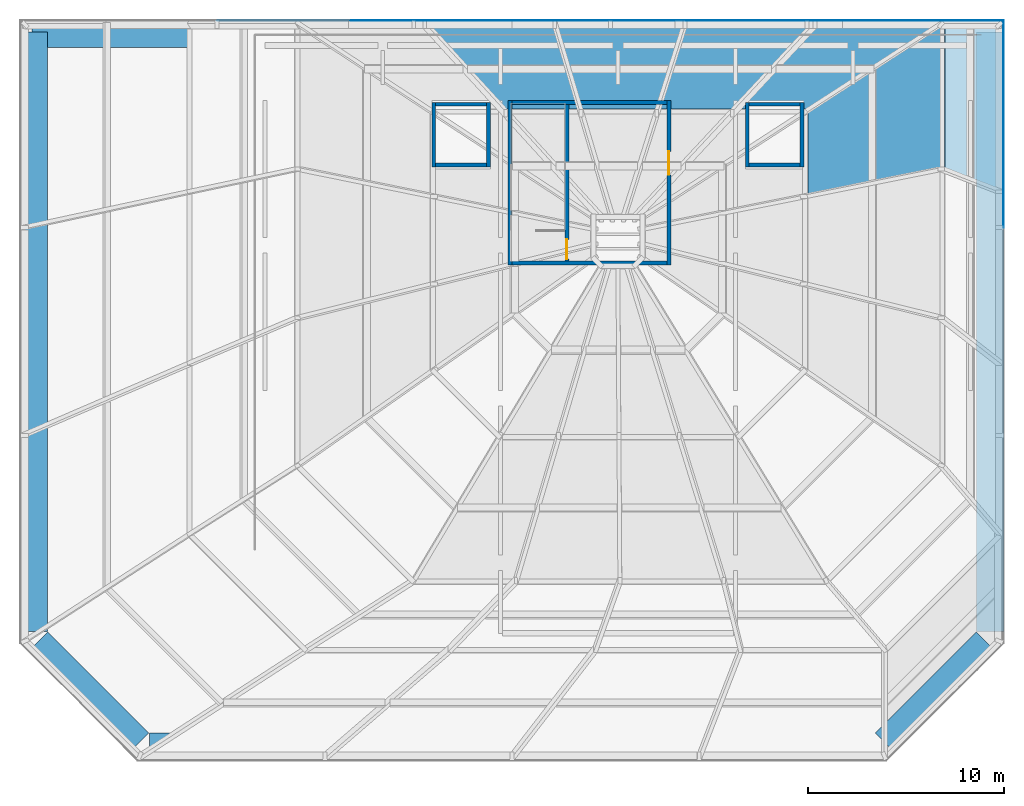
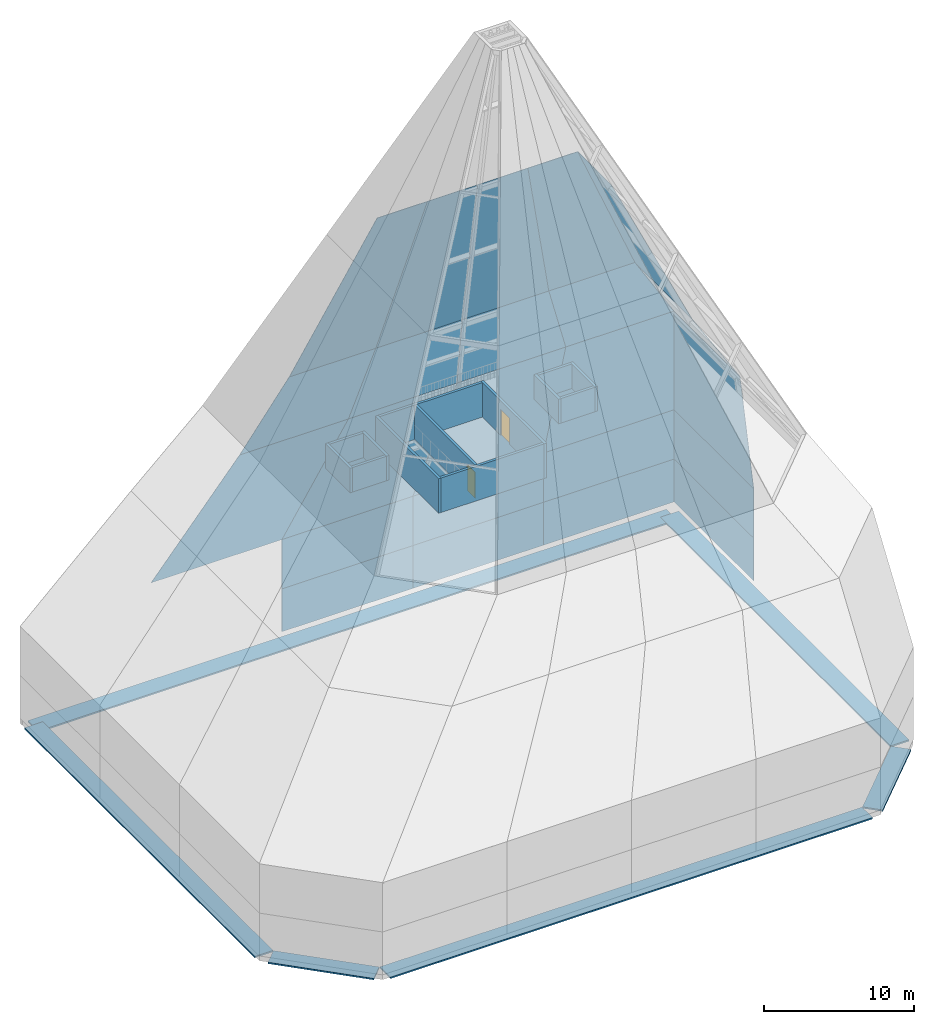
"""IFC4 building model written with IfcOpenShell, lengths in metres."""

from ifc_helpers import new_model, si_unit, direction, frame, frame_2d, origin, origin_2d, place, context, subcontext, project, spatial, polyline, rectangle, outline, extrude, material, layer, layer_set, type_object, element, fill, save


model = new_model("IFC4")

# Units and contexts
model_context = context("Model", 3, precision=1e-05, world=origin(), true_north=direction((0.0, 1.0)))
body_context = subcontext(model_context, "Body", "Model", "MODEL_VIEW")
ifc_project = project(units=[si_unit("LENGTHUNIT", "METRE"), si_unit("AREAUNIT", "SQUARE_METRE"), si_unit("VOLUMEUNIT", "CUBIC_METRE"), si_unit("PLANEANGLEUNIT", "RADIAN"), si_unit("MASSUNIT", "GRAM", prefix="KILO")], contexts=[model_context])

# Site, building, storey
site_placement = place(None, origin())
site = spatial("IfcSite", under=ifc_project, at=site_placement, CompositionType="ELEMENT")
building_placement = place(site_placement, origin())
building = spatial("IfcBuilding", under=site, at=building_placement, Name="Sorahane Residences", CompositionType="ELEMENT")
storey_1_placement = place(building_placement, frame((0.0, 0.0, 357.800048828125)))
storey_1 = spatial("IfcBuildingStorey", under=building, at=storey_1_placement, Name="RF", CompositionType="ELEMENT", Elevation=357.800048828125)

# Plates
ifc_material_1 = material(Name="Laminated low-iron glass", Category="glass")
ifc_layer_1 = layer(ifc_material_1, 0.030029296875)
ifc_layer_set_1 = layer_set([ifc_layer_1], Name="Glass point facet laminated low-iron glass 30")
plate_type = type_object("IfcPlateType", Name="Glass point facet laminated low-iron glass 30", PredefinedType="SHEET", material=ifc_layer_set_1)
plate_1_placement = place(storey_1_placement, frame((43.699951171875, 38.699951171875, -15.47998046875), z_axis=(1.0, 0.0, 0.0), x_axis=(0.0, 1.0, 0.0)))
element("IfcPlate", 1, at=plate_1_placement, inside=storey_1, type_object=plate_type, Name="Glass point facet 1.9", PredefinedType="SHEET", context=body_context, shape_type="SweptSolid", body=[
    extrude(outline(polyline([(0.0, 0.0), (10.60009765625, 0.0), (10.60009765625, 3.47998046875), (0.0, 3.47998046875), (0.0, 0.0)])), origin(), (0.0, 0.0, -1.0), 0.030029296875),
])
plate_2_placement = place(storey_1_placement, frame((43.699951171875, 49.300048828125, -15.47998046875), z_axis=(0.0, 1.0, 0.0), x_axis=(-1.0, 0.0, 0.0)))
element("IfcPlate", 2, at=plate_2_placement, inside=storey_1, type_object=plate_type, Name="Glass point facet 1.10", PredefinedType="SHEET", context=body_context, shape_type="SweptSolid", body=[
    extrude(outline(polyline([(0.0, 0.0), (10.0400390625, 0.0), (10.0400390625, 3.47998046875), (0.0, 3.47998046875), (0.0, 0.0)])), origin(), (0.0, 0.0, -1.0), 0.030029296875),
])
plate_3_placement = place(storey_1_placement, frame((33.659912109375, 49.300048828125, -15.47998046875), z_axis=(0.0, 1.0, 0.0), x_axis=(-1.0, 0.0, 0.0)))
element("IfcPlate", 3, at=plate_3_placement, inside=storey_1, type_object=plate_type, Name="Glass point facet 1.11", PredefinedType="SHEET", context=body_context, shape_type="SweptSolid", body=[
    extrude(outline(polyline([(0.0, 0.0), (10.039794921875, 0.0), (10.039794921875, 3.47998046875), (0.0, 3.47998046875), (0.0, 0.0)])), origin(), (0.0, 0.0, -1.0), 0.030029296875),
])
plate_4_placement = place(storey_1_placement, frame((23.6201171875, 49.300048828125, -15.47998046875), z_axis=(0.0, 1.0, 0.0), x_axis=(-1.0, 0.0, 0.0)))
element("IfcPlate", 4, at=plate_4_placement, inside=storey_1, type_object=plate_type, Name="Glass point facet 1.12", PredefinedType="SHEET", context=body_context, shape_type="SweptSolid", body=[
    extrude(outline(polyline([(0.0, 0.0), (10.0400390625, 0.0), (10.0400390625, 3.47998046875), (0.0, 3.47998046875), (0.0, 0.0)])), origin(), (0.0, 0.0, -1.0), 0.030029296875),
])
plate_5_placement = place(storey_1_placement, frame((43.699951171875, 38.699951171875, -12.0), z_axis=(1.0, 0.0, 0.0), x_axis=(0.0, 1.0, 0.0)))
element("IfcPlate", 5, at=plate_5_placement, inside=storey_1, type_object=plate_type, Name="Glass point facet 2.9", PredefinedType="SHEET", context=body_context, shape_type="SweptSolid", body=[
    extrude(outline(polyline([(0.0, 0.0), (10.60009765625, 0.0), (10.60009765625, 4.0), (0.0, 4.0), (0.0, 0.0)])), origin(), (0.0, 0.0, -1.0), 0.030029296875),
])
plate_6_placement = place(storey_1_placement, frame((43.699951171875, 49.300048828125, -12.0), z_axis=(0.0, 1.0, 0.0), x_axis=(-1.0, 0.0, 0.0)))
element("IfcPlate", 6, at=plate_6_placement, inside=storey_1, type_object=plate_type, Name="Glass point facet 2.10", PredefinedType="SHEET", context=body_context, shape_type="SweptSolid", body=[
    extrude(outline(polyline([(0.0, 0.0), (10.0400390625, 0.0), (10.0400390625, 4.0), (0.0, 4.0), (0.0, 0.0)])), origin(), (0.0, 0.0, -1.0), 0.030029296875),
])
plate_7_placement = place(storey_1_placement, frame((33.659912109375, 49.300048828125, -12.0), z_axis=(0.0, 1.0, 0.0), x_axis=(-1.0, 0.0, 0.0)))
element("IfcPlate", 7, at=plate_7_placement, inside=storey_1, type_object=plate_type, Name="Glass point facet 2.11", PredefinedType="SHEET", context=body_context, shape_type="SweptSolid", body=[
    extrude(outline(polyline([(0.0, 0.0), (10.039794921875, 0.0), (10.039794921875, 4.0), (0.0, 4.0), (0.0, 0.0)])), origin(), (0.0, 0.0, -1.0), 0.030029296875),
])
plate_8_placement = place(storey_1_placement, frame((23.6201171875, 49.300048828125, -12.0), z_axis=(0.0, 1.0, 0.0), x_axis=(-1.0, 0.0, 0.0)))
element("IfcPlate", 8, at=plate_8_placement, inside=storey_1, type_object=plate_type, Name="Glass point facet 2.12", PredefinedType="SHEET", context=body_context, shape_type="SweptSolid", body=[
    extrude(outline(polyline([(0.0, 0.0), (10.0400390625, 0.0), (10.0400390625, 4.0), (0.0, 4.0), (0.0, 0.0)])), origin(), (0.0, 0.0, -1.0), 0.030029296875),
])
plate_9_placement = place(storey_1_placement, frame((43.699951171875, 38.699951171875, -8.0), z_axis=(1.0, 0.0, 0.0), x_axis=(0.0, 1.0, 0.0)))
element("IfcPlate", 9, at=plate_9_placement, inside=storey_1, type_object=plate_type, Name="Glass point facet 3.9", PredefinedType="SHEET", context=body_context, shape_type="SweptSolid", body=[
    extrude(outline(polyline([(0.0, 0.0), (10.60009765625, 0.0), (10.60009765625, 8.0), (1.833251953125, 8.0), (0.0, 0.0)])), origin(), (0.0, 0.0, -1.0), 0.030029296875),
])
plate_10_placement = place(storey_1_placement, frame((43.699951171875, 49.300048828125, -8.0), z_axis=(0.0, 1.0, 0.0), x_axis=(-1.0, 0.0, 0.0)))
element("IfcPlate", 10, at=plate_10_placement, inside=storey_1, type_object=plate_type, Name="Glass point facet 3.10", PredefinedType="SHEET", context=body_context, shape_type="SweptSolid", body=[
    extrude(outline(polyline([(0.0, 0.0), (10.0400390625, 0.0), (8.33984375, 8.0), (0.0, 8.0), (0.0, 0.0)])), origin(), (0.0, 0.0, -1.0), 0.030029296875),
])
plate_11_placement = place(storey_1_placement, frame((33.659912109375, 49.300048828125, -8.0), z_axis=(0.0, 1.0, 0.0), x_axis=(-1.0, 0.0, 0.0)))
element("IfcPlate", 11, at=plate_11_placement, inside=storey_1, type_object=plate_type, Name="Glass point facet 3.11", PredefinedType="SHEET", context=body_context, shape_type="SweptSolid", body=[
    extrude(outline(polyline([(0.0, 0.0), (10.039794921875, 0.0), (6.639892578125, 8.0), (-1.7001953125, 8.0), (0.0, 0.0)])), origin(), (0.0, 0.0, -1.0), 0.030029296875),
])
plate_12_placement = place(storey_1_placement, frame((23.6201171875, 49.300048828125, -8.0), z_axis=(0.0, 1.0, 0.0), x_axis=(-1.0, 0.0, 0.0)))
element("IfcPlate", 12, at=plate_12_placement, inside=storey_1, type_object=plate_type, Name="Glass point facet 3.12", PredefinedType="SHEET", context=body_context, shape_type="SweptSolid", body=[
    extrude(outline(polyline([(0.0, 0.0), (10.0400390625, 0.0), (4.940185546875, 8.0), (-3.39990234375, 8.0), (0.0, 0.0)])), origin(), (0.0, 0.0, -1.0), 0.030029296875),
])
plate_13_placement = place(storey_1_placement, frame((13.580078125, 49.300048828125, -8.0), z_axis=(0.0, 1.0, 0.0), x_axis=(-1.0, 0.0, 0.0)))
element("IfcPlate", 13, at=plate_13_placement, inside=storey_1, type_object=plate_type, Name="Glass point facet 3.13", PredefinedType="SHEET", context=body_context, shape_type="SweptSolid", body=[
    extrude(outline(polyline([(0.0, 0.0), (10.0400390625, 0.0), (3.239990234375, 8.0), (-5.099853515625, 8.0), (0.0, 0.0)])), origin(), (0.0, 0.0, -1.0), 0.030029296875),
])
plate_14_placement = place(storey_1_placement, frame((43.699951171875, 40.533203125, 0.0), z_axis=(0.857492925713, 0.0, 0.514495755428), x_axis=(0.0, 1.0, 0.0)))
element("IfcPlate", 14, at=plate_14_placement, inside=storey_1, type_object=plate_type, Name="Glass point facet 4.9", PredefinedType="SHEET", context=body_context, shape_type="SweptSolid", body=[
    extrude(outline(polyline([(0.0, 0.0), (8.766845703125, 0.0), (8.766845703125, 5.830951894845301), (1.166748046875, 5.830951894845301), (0.0, 0.0)])), origin(), (0.0, 0.0, -1.0), 0.030029296875),
])
plate_15_placement = place(storey_1_placement, frame((43.699951171875, 49.300048828125, 0.0), z_axis=(0.0, 1.0, 0.0), x_axis=(-1.0, 0.0, 0.0)))
element("IfcPlate", 15, at=plate_15_placement, inside=storey_1, type_object=plate_type, Name="Glass point facet 4.10", PredefinedType="SHEET", context=body_context, shape_type="SweptSolid", body=[
    extrude(outline(polyline([(0.0, 0.0), (8.33984375, 0.0), (9.639892578125, 5.0), (3.0, 5.0), (0.0, 0.0)])), origin(), (0.0, 0.0, -1.0), 0.030029296875),
])
plate_16_placement = place(storey_1_placement, frame((35.360107421875, 49.300048828125, 0.0), z_axis=(0.0, 1.0, 0.0), x_axis=(-1.0, 0.0, 0.0)))
element("IfcPlate", 16, at=plate_16_placement, inside=storey_1, type_object=plate_type, Name="Glass point facet 4.11", PredefinedType="SHEET", context=body_context, shape_type="SweptSolid", body=[
    extrude(outline(polyline([(0.0, 0.0), (8.340087890625, 0.0), (7.940185546875, 5.0), (1.300048828125, 5.0), (0.0, 0.0)])), origin(), (0.0, 0.0, -1.0), 0.030029296875),
])
plate_17_placement = place(storey_1_placement, frame((27.02001953125, 49.300048828125, 0.0), z_axis=(0.0, 1.0, 0.0), x_axis=(-1.0, 0.0, 0.0)))
element("IfcPlate", 17, at=plate_17_placement, inside=storey_1, type_object=plate_type, Name="Glass point facet 4.12", PredefinedType="SHEET", context=body_context, shape_type="SweptSolid", body=[
    extrude(outline(polyline([(0.0, 0.0), (8.340087890625, 0.0), (6.239990234375, 5.0), (-0.39990234375, 5.0), (0.0, 0.0)])), origin(), (0.0, 0.0, -1.0), 0.030029296875),
])
plate_18_placement = place(storey_1_placement, frame((18.679931640625, 49.300048828125, 0.0), z_axis=(0.0, 1.0, 0.0), x_axis=(-1.0, 0.0, 0.0)))
element("IfcPlate", 18, at=plate_18_placement, inside=storey_1, type_object=plate_type, Name="Glass point facet 4.13", PredefinedType="SHEET", context=body_context, shape_type="SweptSolid", body=[
    extrude(outline(polyline([(0.0, 0.0), (8.33984375, 0.0), (4.5400390625, 5.0), (-2.10009765625, 5.0), (0.0, 0.0)])), origin(), (0.0, 0.0, -1.0), 0.030029296875),
])
plate_19_placement = place(storey_1_placement, frame((40.699951171875, 41.699951171875, 5.0), z_axis=(0.89673091581, 0.0, 0.442576168169), x_axis=(0.0, 1.0, 0.0)))
element("IfcPlate", 19, at=plate_19_placement, inside=storey_1, type_object=plate_type, Name="Glass point facet 5.9", PredefinedType="SHEET", context=body_context, shape_type="SweptSolid", body=[
    extrude(outline(polyline([(0.0, 0.0), (7.60009765625, 0.0), (3.065185546875, 15.835242123949463), (-1.404541015625, 15.835242123949463), (0.0, 0.0)])), origin(), (0.0, 0.0, -1.0), 0.030029296875),
])
plate_20_placement = place(storey_1_placement, frame((40.699951171875, 49.300048828125, 5.0), z_axis=(0.0, 0.952600652207, 0.304223597729), x_axis=(-1.0, 0.0, 0.0)))
element("IfcPlate", 20, at=plate_20_placement, inside=storey_1, type_object=plate_type, Name="Glass point facet 5.10", PredefinedType="SHEET", context=body_context, shape_type="SweptSolid", body=[
    extrude(outline(polyline([(0.0, 0.0), (6.639892578125, 0.0), (10.86328125, 14.90651002493173), (7.00830078125, 14.90651002493173), (0.0, 0.0)])), origin(), (0.0, 0.0, -1.0), 0.030029296875),
])
plate_21_placement = place(storey_1_placement, frame((34.06005859375, 49.300048828125, 5.0), z_axis=(0.0, 0.952600652207, 0.304223597729), x_axis=(-1.0, 0.0, 0.0)))
element("IfcPlate", 21, at=plate_21_placement, inside=storey_1, type_object=plate_type, Name="Glass point facet 5.11", PredefinedType="SHEET", context=body_context, shape_type="SweptSolid", body=[
    extrude(outline(polyline([(0.0, 0.0), (6.64013671875, 0.0), (8.078369140625, 14.90651002493173), (4.223388671875, 14.90651002493173), (0.0, 0.0)])), origin(), (0.0, 0.0, -1.0), 0.030029296875),
])
plate_22_placement = place(storey_1_placement, frame((27.419921875, 49.300048828125, 5.0), z_axis=(0.0, 0.952600652207, 0.304223597729), x_axis=(-1.0, 0.0, 0.0)))
element("IfcPlate", 22, at=plate_22_placement, inside=storey_1, type_object=plate_type, Name="Glass point facet 5.12", PredefinedType="SHEET", context=body_context, shape_type="SweptSolid", body=[
    extrude(outline(polyline([(0.0, 0.0), (6.639892578125, 0.0), (5.293212890625, 14.90651002493173), (1.438232421875, 14.90651002493173), (0.0, 0.0)])), origin(), (0.0, 0.0, -1.0), 0.030029296875),
])
plate_23_placement = place(storey_1_placement, frame((20.780029296875, 49.300048828125, 5.0), z_axis=(0.0, 0.952600652207, 0.304223597729), x_axis=(-1.0, 0.0, 0.0)))
element("IfcPlate", 23, at=plate_23_placement, inside=storey_1, type_object=plate_type, Name="Glass point facet 5.13", PredefinedType="SHEET", context=body_context, shape_type="SweptSolid", body=[
    extrude(outline(polyline([(0.0, 0.0), (6.64013671875, 0.0), (2.50830078125, 14.90651002493173), (-1.3466796875, 14.90651002493173), (0.0, 0.0)])), origin(), (0.0, 0.0, -1.0), 0.030029296875),
])

# Walls
ifc_material_2 = material(Name="Concrete C30", Category="concrete")
ifc_layer_2 = layer(ifc_material_2, 0.199951171875)
ifc_layer_set_2 = layer_set([ifc_layer_2], Name="Lift shaft wall 200 EI 120")
wall_type_1 = type_object("IfcWallType", Name="Lift shaft wall 200 EI 120", PredefinedType="SOLIDWALL", material=ifc_layer_set_2)
for number, where, z_axis, x_axis, name in (
    (24, (14.699951171875, 41.89990234375, 0.0), (0.0, 0.0, 1.0), (1.0, 0.0, 0.0), "FF1 lift shaft head wall"),
    (25, (14.699951171875, 45.0, 0.0), (0.0, 0.0, 1.0), (1.0, 0.0, 0.0), "FF1 lift shaft head wall"),
):
    element("IfcWall", number, at=place(storey_1_placement, frame(where, z_axis=z_axis, x_axis=x_axis)), inside=storey_1, type_object=wall_type_1, Name=name, PredefinedType="SOLIDWALL", context=body_context, shape_type="SweptSolid", body=[
        extrude(rectangle(XDim=2.60009765625, YDim=0.199951171875, at=frame_2d((1.300048828125, 0.0))), origin(), (0.0, 0.0, 1.0), 1.989990234375),
    ])
for number, where, z_axis, x_axis, name in (
    (26, (14.60009765625, 41.800048828125, 0.0), (0.0, 0.0, 1.0), (0.0, 1.0, 0.0), "FF1 lift shaft head wall"),
    (27, (17.39990234375, 41.800048828125, 0.0), (0.0, 0.0, 1.0), (0.0, 1.0, 0.0), "FF1 lift shaft head wall"),
):
    element("IfcWall", number, at=place(storey_1_placement, frame(where, z_axis=z_axis, x_axis=x_axis)), inside=storey_1, type_object=wall_type_1, Name=name, PredefinedType="SOLIDWALL", context=body_context, shape_type="SweptSolid", body=[
        extrude(rectangle(XDim=3.300048828125, YDim=0.199951171875, at=frame_2d((1.64990234375, 0.0))), origin(), (0.0, 0.0, 1.0), 1.989990234375),
    ])
for number, where, z_axis, x_axis, name in (
    (28, (30.699951171875, 41.89990234375, 0.0), (0.0, 0.0, 1.0), (1.0, 0.0, 0.0), "FF2 lift shaft head wall"),
    (29, (30.699951171875, 45.0, 0.0), (0.0, 0.0, 1.0), (1.0, 0.0, 0.0), "FF2 lift shaft head wall"),
):
    element("IfcWall", number, at=place(storey_1_placement, frame(where, z_axis=z_axis, x_axis=x_axis)), inside=storey_1, type_object=wall_type_1, Name=name, PredefinedType="SOLIDWALL", context=body_context, shape_type="SweptSolid", body=[
        extrude(rectangle(XDim=2.60009765625, YDim=0.199951171875, at=frame_2d((1.300048828125, 0.0))), origin(), (0.0, 0.0, 1.0), 1.989990234375),
    ])
for number, where, z_axis, x_axis, name in (
    (30, (30.60009765625, 41.800048828125, 0.0), (0.0, 0.0, 1.0), (0.0, 1.0, 0.0), "FF2 lift shaft head wall"),
    (31, (33.39990234375, 41.800048828125, 0.0), (0.0, 0.0, 1.0), (0.0, 1.0, 0.0), "FF2 lift shaft head wall"),
):
    element("IfcWall", number, at=place(storey_1_placement, frame(where, z_axis=z_axis, x_axis=x_axis)), inside=storey_1, type_object=wall_type_1, Name=name, PredefinedType="SOLIDWALL", context=body_context, shape_type="SweptSolid", body=[
        extrude(rectangle(XDim=3.300048828125, YDim=0.199951171875, at=frame_2d((1.64990234375, 0.0))), origin(), (0.0, 0.0, 1.0), 1.989990234375),
    ])
ifc_material_3 = material(Name="Concrete C30", Category="concrete")
ifc_layer_3 = layer(ifc_material_3, 0.199951171875)
ifc_layer_set_3 = layer_set([ifc_layer_3], Name="Stair enclosure wall 200 EI 120")
wall_type_2 = type_object("IfcWallType", Name="Stair enclosure wall 200 EI 120", PredefinedType="SOLIDWALL", material=ifc_layer_set_3)
wall_1_placement = place(storey_1_placement, frame((18.5, 36.800048828125, 0.0), z_axis=(0.0, 0.0, 1.0), x_axis=(0.0, 1.0, 0.0)))
element("IfcWall", 32, at=wall_1_placement, inside=storey_1, type_object=wall_type_2, Name="S3 stair head-house wall", PredefinedType="SOLIDWALL", context=body_context, shape_type="SweptSolid", body=[
    extrude(rectangle(XDim=8.39990234375, YDim=0.199951171875, at=frame_2d((4.199951171875, 0.0))), origin(), (0.0, 0.0, 1.0), 2.800048828125),
])
wall_2_placement = place(storey_1_placement, frame((18.60009765625, 36.89990234375, 0.0), z_axis=(0.0, 0.0, 1.0), x_axis=(1.0, 0.0, 0.0)))
element("IfcWall", 33, at=wall_2_placement, inside=storey_1, type_object=wall_type_2, Name="S3 stair head-house wall", PredefinedType="SOLIDWALL", context=body_context, shape_type="SweptSolid", body=[
    extrude(rectangle(XDim=7.89990234375, YDim=0.199951171875, at=frame_2d((3.949951171875, 0.0))), origin(), (0.0, 0.0, 1.0), 2.800048828125),
])

# Wall, opening
wall_3_placement = place(storey_1_placement, frame((21.39990234375, 37.0, 0.0), z_axis=(0.0, 0.0, 1.0), x_axis=(0.0, 1.0, 0.0)))
wall_3 = element("IfcWall", 34, at=wall_3_placement, inside=storey_1, type_object=wall_type_2, Name="S3 stair head-house wall", PredefinedType="SOLIDWALL", context=body_context, shape_type="SweptSolid", body=[
    extrude(rectangle(XDim=8.0, YDim=0.199951171875, at=frame_2d((4.0, 0.0))), origin(), (0.0, 0.0, 1.0), 2.800048828125),
])
opening_1_placement = place(wall_3_placement, frame((0.10009765625, 0.0, 0.0)))
opening_1 = element("IfcOpeningElement", 35, at=opening_1_placement, cuts=wall_3, Name="Opening L84-R01", PredefinedType="OPENING", context=body_context, shape_type="SweptSolid", body=[
    extrude(rectangle(XDim=1.0, YDim=2.10009765625, at=frame_2d((0.5, 1.050048828125))), frame((0.0, 0.10986328125, 0.0), z_axis=(0.0, -1.0, 0.0), x_axis=(1.0, 0.0, 0.0)), (0.0, 0.0, 1.0), 0.219970703125),
])

# Storey
storey_2_placement = place(building_placement, frame((0.0, 0.0, 353.800048828125)))
storey_2 = spatial("IfcBuildingStorey", under=building, at=storey_2_placement, Name="L84", CompositionType="ELEMENT", Elevation=353.800048828125)

# Door
ifc_material_4 = material(Name="Steel", Category="steel")
door_type_1 = type_object("IfcDoorType", Name="Stair door 1000x2100 FD120", OperationType="NOTDEFINED", PredefinedType="DOOR", material=ifc_material_4)
door_1_placement = place(opening_1_placement, frame((1.0, 0.0, 0.0), z_axis=(0.0, 0.0, 1.0), x_axis=(-1.0, 0.0, 0.0)))
door_1 = element("IfcDoor", 36, at=door_1_placement, inside=storey_2, type_object=door_type_1, Name="Stair door S3 L84 head-house", OperationType="SINGLE_SWING_RIGHT", OverallHeight=2.10009765625, OverallWidth=1.0, PredefinedType="DOOR", context=body_context, shape_type="SweptSolid", body=[
    extrude(rectangle(XDim=1.0, YDim=2.10009765625, at=frame_2d((0.5, 1.050048828125))), frame((0.0, 0.02490234375, 0.0), z_axis=(0.0, -1.0, 0.0), x_axis=(1.0, 0.0, 0.0)), (0.0, 0.0, 1.0), 0.050048828125),
])

fill(opening_1, door_1)

# Wall, opening, door
wall_4_placement = place(storey_1_placement, frame((26.60009765625, 36.800048828125, 0.0), z_axis=(0.0, 0.0, 1.0), x_axis=(0.0, 1.0, 0.0)))
wall_4 = element("IfcWall", 37, at=wall_4_placement, inside=storey_1, type_object=wall_type_2, Name="S3 stair head-house wall", PredefinedType="SOLIDWALL", context=body_context, shape_type="SweptSolid", body=[
    extrude(rectangle(XDim=8.39990234375, YDim=0.199951171875, at=frame_2d((4.199951171875, 0.0))), origin(), (0.0, 0.0, 1.0), 2.800048828125),
])
opening_2_placement = place(wall_4_placement, frame((4.60009765625, 0.0, 0.0)))
opening_2 = element("IfcOpeningElement", 38, at=opening_2_placement, cuts=wall_4, Name="Opening L84-R02", PredefinedType="OPENING", context=body_context, shape_type="SweptSolid", body=[
    extrude(rectangle(XDim=1.199951171875, YDim=2.10009765625, at=frame_2d((0.60009765625, 1.050048828125))), frame((0.0, 0.10986328125, 0.0), z_axis=(0.0, -1.0, 0.0), x_axis=(1.0, 0.0, 0.0)), (0.0, 0.0, 1.0), 0.219970703125),
])
ifc_material_5 = material(Name="Steel", Category="steel")
door_type_2 = type_object("IfcDoorType", Name="Roof stair door 1200x2100 FD120", OperationType="NOTDEFINED", PredefinedType="DOOR", material=ifc_material_5)
door_2_placement = place(opening_2_placement, frame((1.199951171875, 0.0, 0.0), z_axis=(0.0, 0.0, 1.0), x_axis=(-1.0, 0.0, 0.0)))
door_2 = element("IfcDoor", 39, at=door_2_placement, inside=storey_2, type_object=door_type_2, Name="Roof stair door S3 L84 head-house", OperationType="SINGLE_SWING_RIGHT", OverallHeight=2.10009765625, OverallWidth=1.199951171875, PredefinedType="DOOR", context=body_context, shape_type="SweptSolid", body=[
    extrude(rectangle(XDim=1.199951171875, YDim=2.10009765625, at=frame_2d((0.60009765625, 1.050048828125))), frame((0.0, 0.02490234375, 0.0), z_axis=(0.0, -1.0, 0.0), x_axis=(1.0, 0.0, 0.0)), (0.0, 0.0, 1.0), 0.050048828125),
])
fill(opening_2, door_2)

# Wall
wall_5_placement = place(storey_1_placement, frame((18.60009765625, 45.10009765625, 0.0), z_axis=(0.0, 0.0, 1.0), x_axis=(1.0, 0.0, 0.0)))
element("IfcWall", 40, at=wall_5_placement, inside=storey_1, type_object=wall_type_2, Name="S3 stair head-house wall", PredefinedType="SOLIDWALL", context=body_context, shape_type="SweptSolid", body=[
    extrude(rectangle(XDim=7.89990234375, YDim=0.199951171875, at=frame_2d((3.949951171875, 0.0))), origin(), (0.0, 0.0, 1.0), 2.800048828125),
])

# Discrete accessories
ifc_material_6 = material(Name="Steel Q355B", Category="steel")
discrete_accessory_type = type_object("IfcDiscreteAccessoryType", Name="Crown ring bearing shim Steel Q355B 250", PredefinedType="USERDEFINED", material=ifc_material_6)
discrete_accessory_1_placement = place(storey_1_placement, frame((-3.0048828125, 14.9951171875, -16.0), z_axis=(0.0, 0.0, 1.0), x_axis=(0.707106781187, -0.707106781187, 0.0)))
element("IfcDiscreteAccessory", 41, at=discrete_accessory_1_placement, inside=storey_1, type_object=discrete_accessory_type, Name="Crown ring bearing shim 1", ObjectType="Bearing shim", PredefinedType="USERDEFINED", context=body_context, shape_type="SweptSolid", body=[
    extrude(rectangle(XDim=7.285400390625, YDim=1.39990234375, at=origin_2d()), origin(), (0.0, 0.0, 1.0), 0.1201171875),
])
discrete_accessory_2_placement = place(storey_1_placement, frame((18.60009765625, 12.199951171875, -16.0), z_axis=(0.0, 0.0, 1.0), x_axis=(1.0, 0.0, 0.0)))
element("IfcDiscreteAccessory", 42, at=discrete_accessory_2_placement, inside=storey_1, type_object=discrete_accessory_type, Name="Crown ring bearing shim 2", ObjectType="Bearing shim", PredefinedType="USERDEFINED", context=body_context, shape_type="SweptSolid", body=[
    extrude(rectangle(XDim=37.0, YDim=1.39990234375, at=origin_2d()), origin(), (0.0, 0.0, 1.0), 0.1201171875),
])
discrete_accessory_3_placement = place(storey_1_placement, frame((40.205078125, 14.9951171875, -16.0), z_axis=(0.0, 0.0, 1.0), x_axis=(0.707106781187, 0.707106781187, 0.0)))
element("IfcDiscreteAccessory", 43, at=discrete_accessory_3_placement, inside=storey_1, type_object=discrete_accessory_type, Name="Crown ring bearing shim 3", ObjectType="Bearing shim", PredefinedType="USERDEFINED", context=body_context, shape_type="SweptSolid", body=[
    extrude(rectangle(XDim=7.285400390625, YDim=1.39990234375, at=origin_2d()), origin(), (0.0, 0.0, 1.0), 0.1201171875),
])
discrete_accessory_4_placement = place(storey_1_placement, frame((43.0, 33.39990234375, -16.0), z_axis=(0.0, 0.0, 1.0), x_axis=(0.0, 1.0, 0.0)))
element("IfcDiscreteAccessory", 44, at=discrete_accessory_4_placement, inside=storey_1, type_object=discrete_accessory_type, Name="Crown ring bearing shim 4", ObjectType="Bearing shim", PredefinedType="USERDEFINED", context=body_context, shape_type="SweptSolid", body=[
    extrude(rectangle(XDim=30.60009765625, YDim=1.39990234375, at=origin_2d()), origin(), (0.0, 0.0, 1.0), 0.1201171875),
])
discrete_accessory_5_placement = place(storey_1_placement, frame((18.60009765625, 48.60009765625, -16.0), z_axis=(0.0, 0.0, 1.0), x_axis=(-1.0, 0.0, 0.0)))
element("IfcDiscreteAccessory", 45, at=discrete_accessory_5_placement, inside=storey_1, type_object=discrete_accessory_type, Name="Crown ring bearing shim 5", ObjectType="Bearing shim", PredefinedType="USERDEFINED", context=body_context, shape_type="SweptSolid", body=[
    extrude(rectangle(XDim=49.0, YDim=1.39990234375, at=origin_2d()), origin(), (0.0, 0.0, 1.0), 0.1201171875),
])
discrete_accessory_6_placement = place(storey_1_placement, frame((-5.800048828125, 33.39990234375, -16.0), z_axis=(0.0, 0.0, 1.0), x_axis=(0.0, -1.0, 0.0)))
element("IfcDiscreteAccessory", 46, at=discrete_accessory_6_placement, inside=storey_1, type_object=discrete_accessory_type, Name="Crown ring bearing shim 6", ObjectType="Bearing shim", PredefinedType="USERDEFINED", context=body_context, shape_type="SweptSolid", body=[
    extrude(rectangle(XDim=30.60009765625, YDim=1.39990234375, at=origin_2d()), origin(), (0.0, 0.0, 1.0), 0.1201171875),
])

save(model, "model.ifc")
